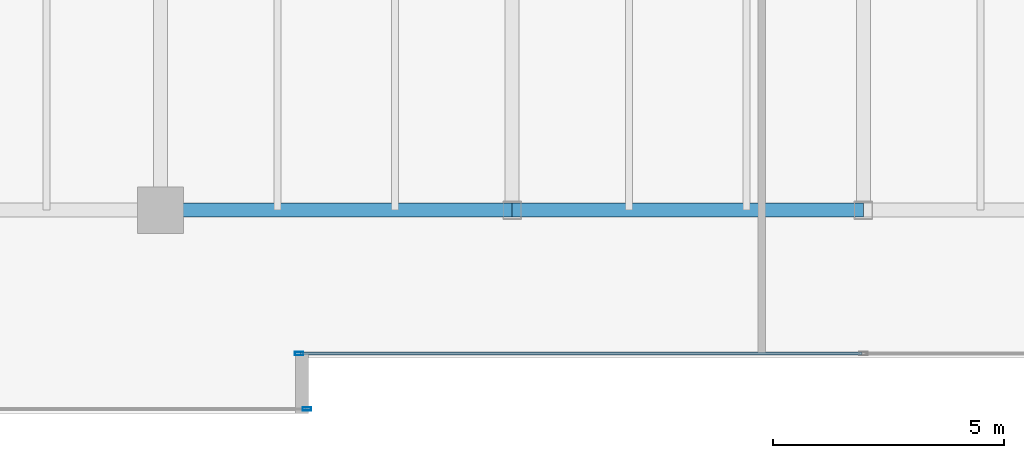
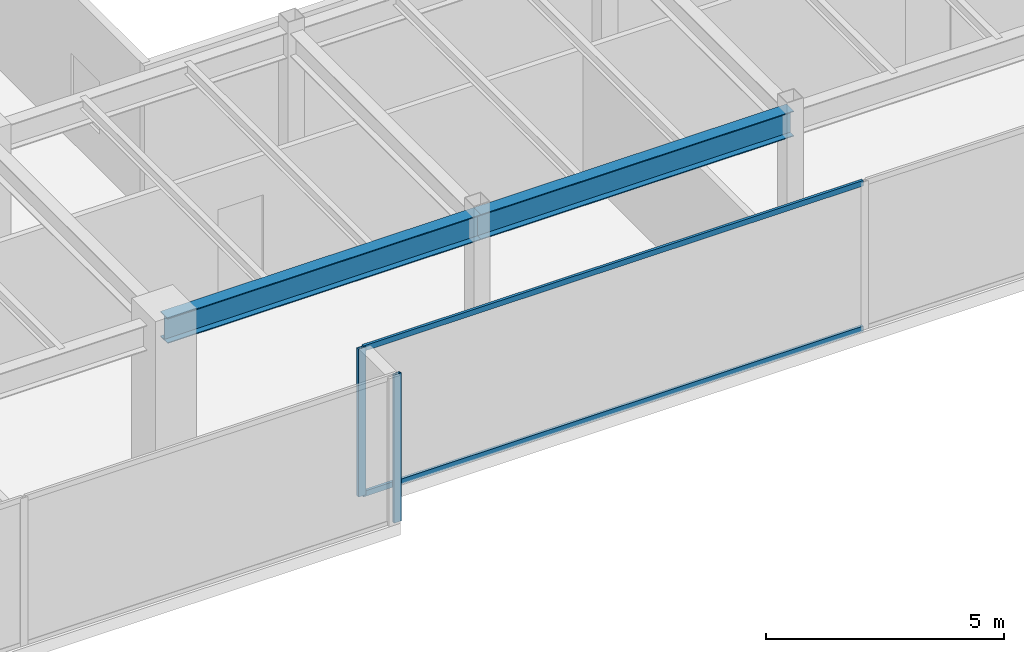
# One storey, part 7 of 33: 4 members, 2 beams, 2 elements without a shape of their own.
"""IFC4 building model written with IfcOpenShell, lengths in metres."""

from ifc_helpers import new_model, si_unit, direction, frame, origin, origin_2d, place, context, subcontext, project, spatial, hollow_rectangle, i_section, extrude, source, transform, mapped, material, layer, layer_set, material_profile, profile_set, type_object, type_shapes, element, aggregate, save


model = new_model("IFC4")

# Units and contexts
model_context = context("Model", 3, precision=1e-05, world=origin(), true_north=direction((0.0, 1.0)))
body_context = subcontext(model_context, "Body", "Model", "MODEL_VIEW")
ifc_project = project(units=[si_unit("LENGTHUNIT", "METRE"), si_unit("AREAUNIT", "SQUARE_METRE"), si_unit("VOLUMEUNIT", "CUBIC_METRE"), si_unit("PLANEANGLEUNIT", "RADIAN"), si_unit("MASSUNIT", "GRAM", prefix="KILO")], contexts=[model_context])

# Site, building, storey
site_placement = place(None, origin())
site = spatial("IfcSite", under=ifc_project, at=site_placement, CompositionType="ELEMENT")
building_placement = place(site_placement, origin())
building = spatial("IfcBuilding", under=site, at=building_placement, Name="Haelvirn Gate Laboratories", CompositionType="ELEMENT")
storey_placement = place(building_placement, frame((0.0, 0.0, 213.699951171875)))
storey = spatial("IfcBuildingStorey", under=building, at=storey_placement, Name="L51", CompositionType="ELEMENT", Elevation=213.699951171875)

# Beams
ifc_material_1 = material(Name="Steel SM355", Category="steel")
ifc_material_profile_1 = material_profile(ifc_material_1, i_section(OverallWidth=0.300048828125, OverallDepth=0.64990234375, WebThickness=0.012939453125, FlangeThickness=0.02197265625, at=origin_2d()), Name="H-650x300x13x22")
ifc_profile_set_1 = profile_set([ifc_material_profile_1], Name="Steel SM355")
beam_type = type_object("IfcBeamType", Name="BM-G-650", PredefinedType="BEAM", material=ifc_profile_set_1)
shared_shape_1 = source(origin(), body_context, "Body", "SweptSolid", [
    extrude(i_section(OverallWidth=0.300048828125, OverallDepth=0.64990234375, WebThickness=0.012939453125, FlangeThickness=0.02197265625, at=origin_2d()), origin(), (0.0, 0.0, 1.0), 7.60009765625),
])
beam_1_placement = place(storey_placement, frame((22.199951171875, 7.0, 3.47509765625), z_axis=(1.0, 0.0, 0.0), x_axis=(0.0, 1.0, 0.0)))
element("IfcBeam", 1, at=beam_1_placement, inside=storey, type_object=beam_type, Name="L51 Primary Girder Y7.0 (22.2-29.8)", PredefinedType="BEAM", context=body_context, shape_type="MappedRepresentation", body=[
    mapped(shared_shape_1, transform((0.0, 0.0, 0.0), scale=1.0)),
])
shared_shape_2 = source(origin(), body_context, "Body", "SweptSolid", [
    extrude(i_section(OverallWidth=0.300048828125, OverallDepth=0.64990234375, WebThickness=0.012939453125, FlangeThickness=0.02197265625, at=origin_2d()), origin(), (0.0, 0.0, 1.0), 7.599853515625),
])
type_shapes(beam_type, [shared_shape_1, shared_shape_2])
beam_2_placement = place(storey_placement, frame((29.800048828125, 7.0, 3.47509765625), z_axis=(1.0, 0.0, 0.0), x_axis=(0.0, 1.0, 0.0)))
element("IfcBeam", 2, at=beam_2_placement, inside=storey, type_object=beam_type, Name="L51 Primary Girder Y7.0 (29.8-37.4)", PredefinedType="BEAM", context=body_context, shape_type="MappedRepresentation", body=[
    mapped(shared_shape_2, transform((0.0, 0.0, 0.0), scale=1.0)),
])

# Curtain wall, members
ifc_material_2 = material(Name="Anodised bronze unitised aluminium & triple low-E glass", Category="aluminium")
ifc_layer = layer(ifc_material_2, 0.176025390625, Name="CW-SYS-4")
ifc_layer_set = layer_set([ifc_layer], Name="Anodised bronze unitised aluminium & triple low-E glass")
curtain_wall_type = type_object("IfcCurtainWallType", Name="CW-SYS-4", PredefinedType="NOTDEFINED", material=ifc_layer_set)
curtain_wall_1_placement = place(storey_placement, origin())
curtain_wall_1 = element("IfcCurtainWall", 3, at=curtain_wall_1_placement, inside=storey, type_object=curtain_wall_type, Name="L51 Unitised Curtain Wall CW-L51-P0-E02-1", PredefinedType="NOTDEFINED")
ifc_material_3 = material(Name="Extruded aluminium 6063-T6 (anodised bronze)", Category="aluminium")
ifc_material_profile_2 = material_profile(ifc_material_3, hollow_rectangle(XDim=0.06494140625, YDim=0.139892578125, WallThickness=0.00390625, at=origin_2d()), Name="CWT-140x65x4")
ifc_profile_set_2 = profile_set([ifc_material_profile_2], Name="Extruded aluminium 6063-T6 (anodised bronze)")
member_type_1 = type_object("IfcMemberType", Name="CWT-T140", PredefinedType="USERDEFINED", material=ifc_profile_set_2)
shared_shape_3 = source(origin(), body_context, "Body", "SweptSolid", [
    extrude(hollow_rectangle(XDim=0.06494140625, YDim=0.139892578125, WallThickness=0.00390625, at=origin_2d()), origin(), (0.0, 0.0, 1.0), 12.135009765625),
])
type_shapes(member_type_1, [shared_shape_3])
member_1_placement = place(storey_placement, frame((25.22998046875, 3.89990234375, 0.032470703125), z_axis=(1.0, 0.0, 0.0), x_axis=(0.0, 1.0, 0.0)))
member_1 = element("IfcMember", 4, at=member_1_placement, type_object=member_type_1, Name="CW4 transom 1.1", ObjectType="TRANSOM", PredefinedType="USERDEFINED", context=body_context, shape_type="MappedRepresentation", body=[
    mapped(shared_shape_3, transform((0.0, 0.0, 0.0), scale=1.0)),
])
member_2_placement = place(storey_placement, frame((25.22998046875, 3.89990234375, 3.767578125), z_axis=(1.0, 0.0, 0.0), x_axis=(0.0, 1.0, 0.0)))
member_2 = element("IfcMember", 5, at=member_2_placement, type_object=member_type_1, Name="CW4 transom 1.2", ObjectType="TRANSOM", PredefinedType="USERDEFINED", context=body_context, shape_type="MappedRepresentation", body=[
    mapped(shared_shape_3, transform((0.0, 0.0, 0.0), scale=1.0)),
])

# Curtain wall, member
curtain_wall_2_placement = place(storey_placement, origin())
curtain_wall_2 = element("IfcCurtainWall", 6, at=curtain_wall_2_placement, inside=storey, type_object=curtain_wall_type, Name="L51 Unitised Curtain Wall CW-L51-P0-E00-1", PredefinedType="NOTDEFINED")
ifc_material_profile_3 = material_profile(ifc_material_3, hollow_rectangle(XDim=0.070068359375, YDim=0.179931640625, WallThickness=0.0048828125, at=origin_2d()), Name="CWM-180x70x5")
ifc_profile_set_3 = profile_set([ifc_material_profile_3], Name="Extruded aluminium 6063-T6 (anodised bronze)")
member_type_2 = type_object("IfcMemberType", Name="CWM-T180", PredefinedType="MULLION", material=ifc_profile_set_3)
shared_shape_4 = source(origin(), body_context, "Body", "SweptSolid", [
    extrude(hollow_rectangle(XDim=0.070068359375, YDim=0.179931640625, WallThickness=0.0048828125, at=origin_2d()), origin(), (0.0, 0.0, 1.0), 3.800048828125),
])
type_shapes(member_type_2, [shared_shape_4])
member_3_placement = place(storey_placement, frame((25.364990234375, 2.699951171875, 0.0), z_axis=(0.0, 0.0, 1.0), x_axis=(0.0, 1.0, 0.0)))
member_3 = element("IfcMember", 7, at=member_3_placement, type_object=member_type_2, Name="CW4 mullion 3", PredefinedType="MULLION", context=body_context, shape_type="MappedRepresentation", body=[
    mapped(shared_shape_4, transform((0.0, 0.0, 0.0), scale=1.0)),
])
aggregate(curtain_wall_2, [member_3])

# Member
member_4_placement = place(storey_placement, frame((25.195068359375, 3.89990234375, 0.0), z_axis=(0.0, 0.0, 1.0), x_axis=(0.0, 1.0, 0.0)))
member_4 = element("IfcMember", 8, at=member_4_placement, type_object=member_type_2, Name="CW4 mullion 1", PredefinedType="MULLION", context=body_context, shape_type="MappedRepresentation", body=[
    mapped(shared_shape_4, transform((0.0, 0.0, 0.0), scale=1.0)),
])

aggregate(curtain_wall_1, [member_4, member_1, member_2])

save(model, "model.ifc")
